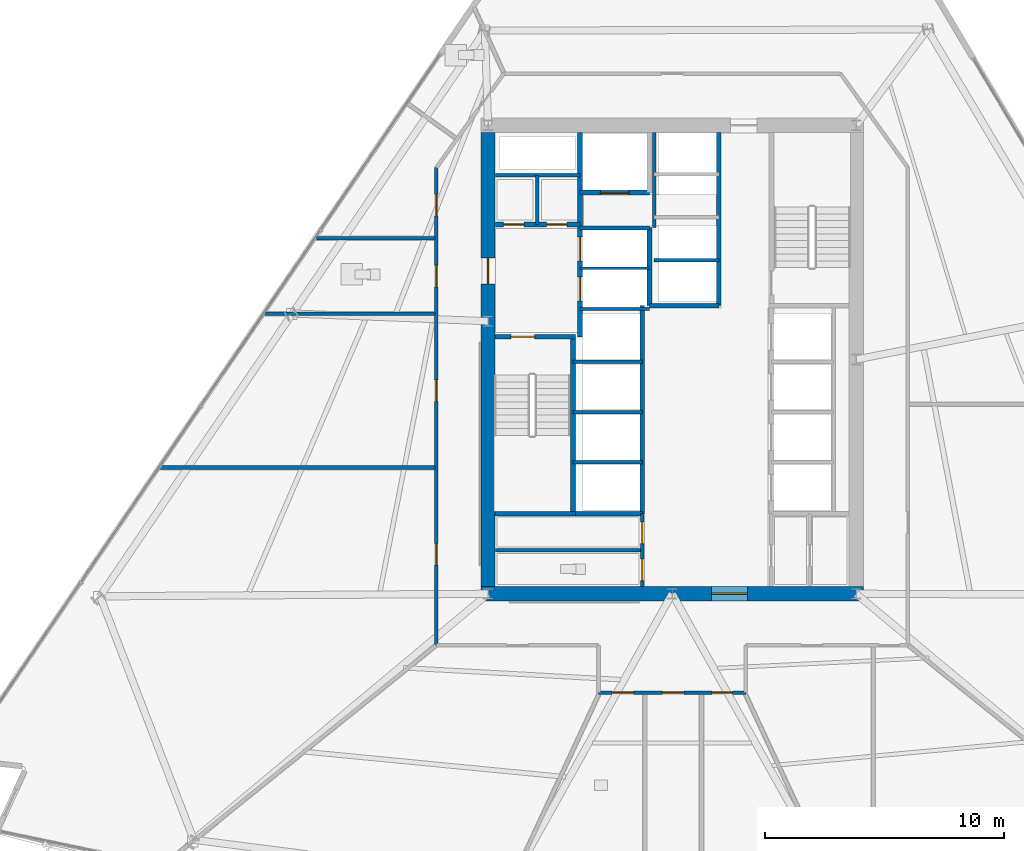
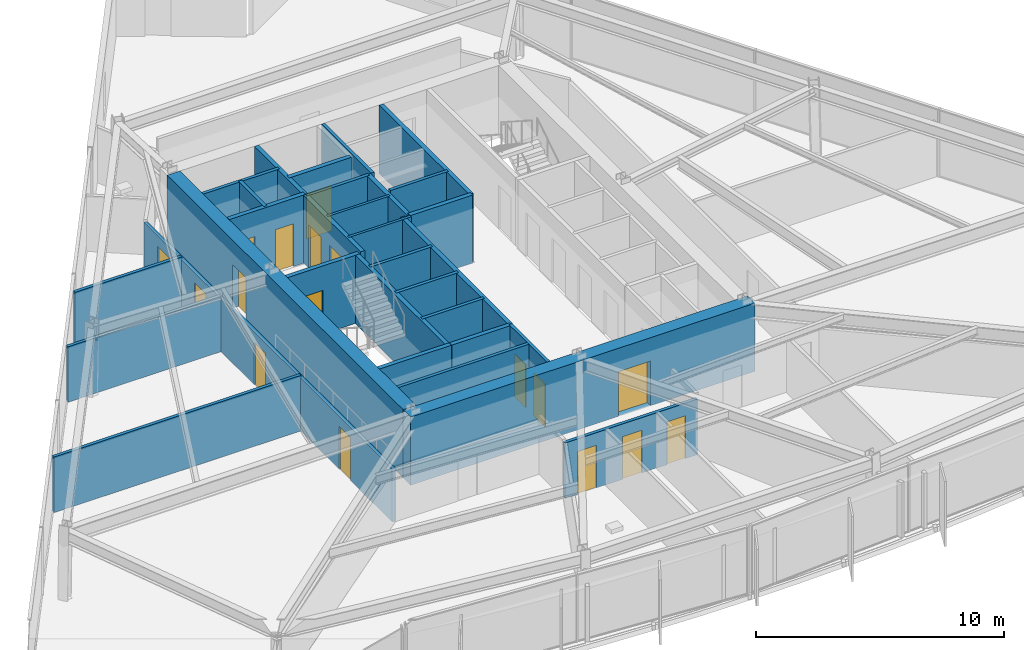
# One storey, part 9 of 18: 30 walls, 17 doors, 17 openings.
"""IFC4 building model written with IfcOpenShell, lengths in metres."""

from ifc_helpers import new_model, si_unit, direction, frame, frame_2d, origin, place, context, subcontext, project, spatial, rectangle, extrude, material, layer, layer_set, type_object, element, fill, save


model = new_model("IFC4")

# Units and contexts
model_context = context("Model", 3, precision=1e-05, world=origin(), true_north=direction((0.0, 1.0)))
body_context = subcontext(model_context, "Body", "Model", "MODEL_VIEW")
ifc_project = project(units=[si_unit("LENGTHUNIT", "METRE"), si_unit("AREAUNIT", "SQUARE_METRE"), si_unit("VOLUMEUNIT", "CUBIC_METRE"), si_unit("PLANEANGLEUNIT", "RADIAN"), si_unit("MASSUNIT", "GRAM", prefix="KILO")], contexts=[model_context])

# Site, building, storey
site_placement = place(None, origin())
site = spatial("IfcSite", under=ifc_project, at=site_placement, CompositionType="ELEMENT")
building_placement = place(site_placement, origin())
building = spatial("IfcBuilding", under=site, at=building_placement, Name="Savorim Split Tower", CompositionType="ELEMENT")
storey_placement = place(building_placement, frame((0.0, 0.0, 40.800048828125)))
storey = spatial("IfcBuildingStorey", under=building, at=storey_placement, Name="L10", CompositionType="ELEMENT", Elevation=40.800048828125)

# Wall, opening, door
ifc_material_1 = material(Name="Concrete C60/75", Category="concrete")
ifc_layer_1 = layer(ifc_material_1, 0.60009765625)
ifc_layer_set_1 = layer_set([ifc_layer_1], Name="WAL-COR-SH600")
wall_type_1 = type_object("IfcWallType", Name="WAL-COR-SH600", PredefinedType="SHEAR", material=ifc_layer_set_1)
wall_1_placement = place(storey_placement, frame((-8.0, -9.39990234375, 0.0), z_axis=(0.0, 0.0, 1.0), x_axis=(1.0, 0.0, 0.0)))
wall_1 = element("IfcWall", 1, at=wall_1_placement, inside=storey, type_object=wall_type_1, Name="L10 Offset Core South Shear Wall", PredefinedType="SHEAR", context=body_context, shape_type="SweptSolid", body=[
    extrude(rectangle(XDim=16.0, YDim=0.60009765625, at=frame_2d((8.0, 0.0))), origin(), (0.0, 0.0, 1.0), 3.349853515625),
])
opening_1_placement = place(wall_1_placement, frame((9.64990234375, 0.0, 0.0)))
opening_1 = element("IfcOpeningElement", 2, at=opening_1_placement, cuts=wall_1, Name="Opening DI-02", PredefinedType="OPENING", context=body_context, shape_type="SweptSolid", body=[
    extrude(rectangle(XDim=1.5, YDim=2.199951171875, at=frame_2d((0.75, 1.10009765625))), frame((0.0, 0.31005859375, 0.0), z_axis=(0.0, -1.0, 0.0), x_axis=(1.0, 0.0, 0.0)), (0.0, 0.0, 1.0), 0.6201171875),
])
ifc_material_2 = material(Name="Timber Fire Door Leaf", Category="wood")
door_type_1 = type_object("IfcDoorType", Name="DOR-DBL-1500", OperationType="NOTDEFINED", PredefinedType="DOOR", material=ifc_material_2)
door_1_placement = place(opening_1_placement, origin())
door_1 = element("IfcDoor", 3, at=door_1_placement, inside=storey, type_object=door_type_1, Name="DOR-L10-COR-LLOB - L10 Lift Lobby Main Rated Door", OperationType="DOUBLE_DOOR_SINGLE_SWING", OverallHeight=2.199951171875, OverallWidth=1.5, PredefinedType="DOOR", context=body_context, shape_type="SweptSolid", body=[
    extrude(rectangle(XDim=1.5, YDim=2.199951171875, at=frame_2d((0.75, 1.10009765625))), frame((0.0, 0.02490234375, 0.0), z_axis=(0.0, -1.0, 0.0), x_axis=(1.0, 0.0, 0.0)), (0.0, 0.0, 1.0), 0.050048828125),
])
fill(opening_1, door_1)

wall_2_placement = place(storey_placement, frame((-7.699951171875, -9.10009765625, 0.0), z_axis=(0.0, 0.0, 1.0), x_axis=(0.0, 1.0, 0.0)))
wall_2 = element("IfcWall", 4, at=wall_2_placement, inside=storey, type_object=wall_type_1, Name="L10 Offset Core West Shear Wall", PredefinedType="SHEAR", context=body_context, shape_type="SweptSolid", body=[
    extrude(rectangle(XDim=19.0, YDim=0.60009765625, at=frame_2d((9.5, 0.0))), origin(), (0.0, 0.0, 1.0), 3.349853515625),
])
opening_2_placement = place(wall_2_placement, frame((12.64990234375, 0.0, 0.0)))
opening_2 = element("IfcOpeningElement", 5, at=opening_2_placement, cuts=wall_2, Name="Opening DI-03", PredefinedType="OPENING", context=body_context, shape_type="SweptSolid", body=[
    extrude(rectangle(XDim=1.10009765625, YDim=2.14990234375, at=frame_2d((0.550048828125, 1.074951171875))), frame((0.0, 0.31005859375, 0.0), z_axis=(0.0, -1.0, 0.0), x_axis=(1.0, 0.0, 0.0)), (0.0, 0.0, 1.0), 0.6201171875),
])
door_type_2 = type_object("IfcDoorType", Name="DOR-FIR-1100", OperationType="NOTDEFINED", PredefinedType="DOOR", material=ifc_material_2)
door_2_placement = place(opening_2_placement, origin())
door_2 = element("IfcDoor", 6, at=door_2_placement, inside=storey, type_object=door_type_2, Name="DOR-L10-COR-FFLOB - L10 Firefighting Lobby Corridor Door", OperationType="SINGLE_SWING_RIGHT", OverallHeight=2.14990234375, OverallWidth=1.10009765625, PredefinedType="DOOR", context=body_context, shape_type="SweptSolid", body=[
    extrude(rectangle(XDim=1.10009765625, YDim=2.14990234375, at=frame_2d((0.550048828125, 1.074951171875))), frame((0.0, 0.02490234375, 0.0), z_axis=(0.0, -1.0, 0.0), x_axis=(1.0, 0.0, 0.0)), (0.0, 0.0, 1.0), 0.050048828125),
])
fill(opening_2, door_2)

ifc_material_3 = material(Name="Concrete C50/60", Category="concrete")
ifc_layer_2 = layer(ifc_material_3, 0.199951171875)
ifc_layer_set_2 = layer_set([ifc_layer_2], Name="WAL-INT-RC200")
wall_type_2 = type_object("IfcWallType", Name="WAL-INT-RC200", PredefinedType="SOLIDWALL", material=ifc_layer_set_2)
wall_3_placement = place(storey_placement, frame((-7.39990234375, 1.35009765625, 0.0), z_axis=(0.0, 0.0, 1.0), x_axis=(1.0, 0.0, 0.0)))
wall_3 = element("IfcWall", 7, at=wall_3_placement, inside=storey, type_object=wall_type_2, Name="L10 Structural Shaft Wall W-L10-CR01", PredefinedType="SOLIDWALL", context=body_context, shape_type="SweptSolid", body=[
    extrude(rectangle(XDim=3.349853515625, YDim=0.199951171875, at=frame_2d((1.6748046875, 0.0))), origin(), (0.0, 0.0, 1.0), 3.349853515625),
])
opening_3_placement = place(wall_3_placement, frame((0.64990234375, 0.0, 0.0)))
opening_3 = element("IfcOpeningElement", 8, at=opening_3_placement, cuts=wall_3, Name="Opening DI-04", PredefinedType="OPENING", context=body_context, shape_type="SweptSolid", body=[
    extrude(rectangle(XDim=1.0, YDim=2.14990234375, at=frame_2d((0.5, 1.074951171875))), frame((0.0, 0.10986328125, 0.0), z_axis=(0.0, -1.0, 0.0), x_axis=(1.0, 0.0, 0.0)), (0.0, 0.0, 1.0), 0.219970703125),
])
door_type_3 = type_object("IfcDoorType", Name="DOR-FIR-1000", OperationType="NOTDEFINED", PredefinedType="DOOR", material=ifc_material_2)
door_3_placement = place(opening_3_placement, origin())
door_3 = element("IfcDoor", 9, at=door_3_placement, inside=storey, type_object=door_type_3, Name="DR-L10-ST1 - L10 Stair ST-1 Enclosure Door", OperationType="SINGLE_SWING_LEFT", OverallHeight=2.14990234375, OverallWidth=1.0, PredefinedType="DOOR", context=body_context, shape_type="SweptSolid", body=[
    extrude(rectangle(XDim=1.0, YDim=2.14990234375, at=frame_2d((0.5, 1.074951171875))), frame((0.0, 0.02490234375, 0.0), z_axis=(0.0, -1.0, 0.0), x_axis=(1.0, 0.0, 0.0)), (0.0, 0.0, 1.0), 0.050048828125),
])
fill(opening_3, door_3)

# Wall
wall_4_placement = place(storey_placement, frame((-4.14990234375, -5.949951171875, 0.0), z_axis=(0.0, 0.0, 1.0), x_axis=(0.0, 1.0, 0.0)))
element("IfcWall", 10, at=wall_4_placement, inside=storey, type_object=wall_type_2, Name="L10 Structural Shaft Wall W-L10-CR02", PredefinedType="SOLIDWALL", context=body_context, shape_type="SweptSolid", body=[
    extrude(rectangle(XDim=7.199951171875, YDim=0.199951171875, at=frame_2d((3.60009765625, 0.0))), origin(), (0.0, 0.0, 1.0), 3.349853515625),
])

# Wall, openings, doors
wall_5_placement = place(storey_placement, frame((-3.85009765625, 1.35009765625, 0.0), z_axis=(0.0, 0.0, 1.0), x_axis=(0.0, 1.0, 0.0)))
wall_5 = element("IfcWall", 11, at=wall_5_placement, inside=storey, type_object=wall_type_2, Name="L10 Partition W-L10-CR03", PredefinedType="SOLIDWALL", context=body_context, shape_type="SweptSolid", body=[
    extrude(rectangle(XDim=8.544921875, YDim=0.199951171875, at=frame_2d((4.2724609375, 0.0))), origin(), (0.0, 0.0, 1.0), 3.349853515625),
])
opening_4_placement = place(wall_5_placement, frame((1.5, 0.0, 0.0)))
opening_4 = element("IfcOpeningElement", 12, at=opening_4_placement, cuts=wall_5, Name="Opening LD-FFL", PredefinedType="OPENING", context=body_context, shape_type="SweptSolid", body=[
    extrude(rectangle(XDim=1.0, YDim=2.14990234375, at=frame_2d((0.5, 1.074951171875))), frame((0.0, 0.10986328125, 0.0), z_axis=(0.0, -1.0, 0.0), x_axis=(1.0, 0.0, 0.0)), (0.0, 0.0, 1.0), 0.219970703125),
])
opening_5_placement = place(wall_5_placement, frame((3.179931640625, 0.0, 0.0)))
opening_5 = element("IfcOpeningElement", 13, at=opening_5_placement, cuts=wall_5, Name="Opening LD-FFL", PredefinedType="OPENING", context=body_context, shape_type="SweptSolid", body=[
    extrude(rectangle(XDim=1.0, YDim=2.14990234375, at=frame_2d((0.5, 1.074951171875))), frame((0.0, 0.10986328125, 0.0), z_axis=(0.0, -1.0, 0.0), x_axis=(1.0, 0.0, 0.0)), (0.0, 0.0, 1.0), 0.219970703125),
])
ifc_material_4 = material(Name="Charcoal Anodised Aluminium", Category="aluminium")
door_type_4 = type_object("IfcDoorType", Name="DOR-SLD-LD1000", OperationType="NOTDEFINED", PredefinedType="DOOR", material=ifc_material_4)
door_4_placement = place(opening_4_placement, origin())
door_4 = element("IfcDoor", 14, at=door_4_placement, inside=storey, type_object=door_type_4, Name="DR-L10-LD-FFL1 - L10 Firefighting Lift FFL-1 Sliding Landing Door", OperationType="DOUBLE_DOOR_SLIDING", OverallHeight=2.14990234375, OverallWidth=1.0, PredefinedType="DOOR", context=body_context, shape_type="SweptSolid", body=[
    extrude(rectangle(XDim=1.0, YDim=2.14990234375, at=frame_2d((0.5, 1.074951171875))), frame((0.0, 0.02490234375, 0.0), z_axis=(0.0, -1.0, 0.0), x_axis=(1.0, 0.0, 0.0)), (0.0, 0.0, 1.0), 0.050048828125),
])
fill(opening_4, door_4)
door_5_placement = place(opening_5_placement, origin())
door_5 = element("IfcDoor", 15, at=door_5_placement, inside=storey, type_object=door_type_4, Name="DR-L10-LD-FFL2 - L10 Firefighting Lift FFL-2 Sliding Landing Door", OperationType="DOUBLE_DOOR_SLIDING", OverallHeight=2.14990234375, OverallWidth=1.0, PredefinedType="DOOR", context=body_context, shape_type="SweptSolid", body=[
    extrude(rectangle(XDim=1.0, YDim=2.14990234375, at=frame_2d((0.5, 1.074951171875))), frame((0.0, 0.02490234375, 0.0), z_axis=(0.0, -1.0, 0.0), x_axis=(1.0, 0.0, 0.0)), (0.0, 0.0, 1.0), 0.050048828125),
])
fill(opening_5, door_5)

wall_6_placement = place(storey_placement, frame((-7.39501953125, 6.050048828125, 0.0), z_axis=(0.0, 0.0, 1.0), x_axis=(1.0, 0.0, 0.0)))
wall_6 = element("IfcWall", 16, at=wall_6_placement, inside=storey, type_object=wall_type_2, Name="L10 Partition W-L10-CR04", PredefinedType="SOLIDWALL", context=body_context, shape_type="SweptSolid", body=[
    extrude(rectangle(XDim=3.544921875, YDim=0.199951171875, at=frame_2d((1.7724609375, 0.0))), origin(), (0.0, 0.0, 1.0), 3.349853515625),
])
opening_6_placement = place(wall_6_placement, frame((0.344970703125, 0.0, 0.0)))
opening_6 = element("IfcOpeningElement", 17, at=opening_6_placement, cuts=wall_6, Name="Opening DI-12", PredefinedType="OPENING", context=body_context, shape_type="SweptSolid", body=[
    extrude(rectangle(XDim=0.85009765625, YDim=2.10009765625, at=frame_2d((0.425048828125, 1.050048828125))), frame((0.0, 0.10986328125, 0.0), z_axis=(0.0, -1.0, 0.0), x_axis=(1.0, 0.0, 0.0)), (0.0, 0.0, 1.0), 0.219970703125),
])
opening_7_placement = place(wall_6_placement, frame((2.14501953125, 0.0, 0.0)))
opening_7 = element("IfcOpeningElement", 18, at=opening_7_placement, cuts=wall_6, Name="Opening DI-12", PredefinedType="OPENING", context=body_context, shape_type="SweptSolid", body=[
    extrude(rectangle(XDim=0.85009765625, YDim=2.10009765625, at=frame_2d((0.425048828125, 1.050048828125))), frame((0.0, 0.10986328125, 0.0), z_axis=(0.0, -1.0, 0.0), x_axis=(1.0, 0.0, 0.0)), (0.0, 0.0, 1.0), 0.219970703125),
])
ifc_material_5 = material(Name="Galvanised Painted Steel Balustrade", Category="steel")
door_type_5 = type_object("IfcDoorType", Name="DOR-RIS-850", OperationType="NOTDEFINED", PredefinedType="DOOR", material=ifc_material_5)
door_6_placement = place(opening_6_placement, origin())
door_6 = element("IfcDoor", 19, at=door_6_placement, inside=storey, type_object=door_type_5, Name="DR-L10-ELR - L10 Electrical Riser Access Door", OperationType="SINGLE_SWING_RIGHT", OverallHeight=2.10009765625, OverallWidth=0.85009765625, PredefinedType="DOOR", context=body_context, shape_type="SweptSolid", body=[
    extrude(rectangle(XDim=0.85009765625, YDim=2.10009765625, at=frame_2d((0.425048828125, 1.050048828125))), frame((0.0, 0.02490234375, 0.0), z_axis=(0.0, -1.0, 0.0), x_axis=(1.0, 0.0, 0.0)), (0.0, 0.0, 1.0), 0.050048828125),
])
fill(opening_6, door_6)
door_7_placement = place(opening_7_placement, origin())
door_7 = element("IfcDoor", 20, at=door_7_placement, inside=storey, type_object=door_type_5, Name="DR-L10-TLR - L10 Telecom Riser Access Door", OperationType="SINGLE_SWING_LEFT", OverallHeight=2.10009765625, OverallWidth=0.85009765625, PredefinedType="DOOR", context=body_context, shape_type="SweptSolid", body=[
    extrude(rectangle(XDim=0.85009765625, YDim=2.10009765625, at=frame_2d((0.425048828125, 1.050048828125))), frame((0.0, 0.02490234375, 0.0), z_axis=(0.0, -1.0, 0.0), x_axis=(1.0, 0.0, 0.0)), (0.0, 0.0, 1.0), 0.050048828125),
])
fill(opening_7, door_7)

# Wall
wall_7_placement = place(storey_placement, frame((-0.949951171875, 2.64990234375, 0.0), z_axis=(0.0, 0.0, 1.0), x_axis=(0.0, 1.0, 0.0)))
element("IfcWall", 21, at=wall_7_placement, inside=storey, type_object=wall_type_2, Name="L10 Partition W-L10-FFLW", PredefinedType="SOLIDWALL", context=body_context, shape_type="SweptSolid", body=[
    extrude(rectangle(XDim=3.27001953125, YDim=0.199951171875, at=frame_2d((1.635009765625, 0.0))), origin(), (0.0, 0.0, 1.0), 3.349853515625),
])

# Wall, opening, door
wall_8_placement = place(storey_placement, frame((-3.85009765625, 7.3798828125, 0.0), z_axis=(0.0, 0.0, 1.0), x_axis=(1.0, 0.0, 0.0)))
wall_8 = element("IfcWall", 22, at=wall_8_placement, inside=storey, type_object=wall_type_2, Name="L10 Partition W-L10-SVLS", PredefinedType="SOLIDWALL", context=body_context, shape_type="SweptSolid", body=[
    extrude(rectangle(XDim=2.900146484375, YDim=0.199951171875, at=frame_2d((1.4501953125, 0.0))), origin(), (0.0, 0.0, 1.0), 3.349853515625),
])
opening_8_placement = place(wall_8_placement, frame((0.85009765625, 0.0, 0.0)))
opening_8 = element("IfcOpeningElement", 23, at=opening_8_placement, cuts=wall_8, Name="Opening LD-SV", PredefinedType="OPENING", context=body_context, shape_type="SweptSolid", body=[
    extrude(rectangle(XDim=1.199951171875, YDim=2.199951171875, at=frame_2d((0.60009765625, 1.10009765625))), frame((0.0, 0.10986328125, 0.0), z_axis=(0.0, -1.0, 0.0), x_axis=(1.0, 0.0, 0.0)), (0.0, 0.0, 1.0), 0.219970703125),
])
door_type_6 = type_object("IfcDoorType", Name="DOR-SLD-SV1200", OperationType="NOTDEFINED", PredefinedType="DOOR", material=ifc_material_4)
door_8_placement = place(opening_8_placement, origin())
door_8 = element("IfcDoor", 24, at=door_8_placement, inside=storey, type_object=door_type_6, Name="DR-L10-LD-SVL1 - L10 Service Lift SVL-1 Sliding Landing Door", OperationType="DOUBLE_DOOR_SLIDING", OverallHeight=2.199951171875, OverallWidth=1.199951171875, PredefinedType="DOOR", context=body_context, shape_type="SweptSolid", body=[
    extrude(rectangle(XDim=1.199951171875, YDim=2.199951171875, at=frame_2d((0.60009765625, 1.10009765625))), frame((0.0, 0.02490234375, 0.0), z_axis=(0.0, -1.0, 0.0), x_axis=(1.0, 0.0, 0.0)), (0.0, 0.0, 1.0), 0.050048828125),
])
fill(opening_8, door_8)

# Walls
wall_9_placement = place(storey_placement, frame((-1.25, -6.050048828125, 0.0), z_axis=(0.0, 0.0, 1.0), x_axis=(0.0, 1.0, 0.0)))
element("IfcWall", 25, at=wall_9_placement, inside=storey, type_object=wall_type_2, Name="L10 Partition W-L10-B2FRONT", PredefinedType="SOLIDWALL", context=body_context, shape_type="SweptSolid", body=[
    extrude(rectangle(XDim=8.699951171875, YDim=0.199951171875, at=frame_2d((4.35009765625, 0.0))), origin(), (0.0, 0.0, 1.0), 3.349853515625),
])
wall_10_placement = place(storey_placement, frame((1.949951171875, 2.64990234375, 0.0), z_axis=(0.0, 0.0, 1.0), x_axis=(0.0, 1.0, 0.0)))
element("IfcWall", 26, at=wall_10_placement, inside=storey, type_object=wall_type_2, Name="L10 Partition W-L10-B3FRONT", PredefinedType="SOLIDWALL", context=body_context, shape_type="SweptSolid", body=[
    extrude(rectangle(XDim=7.2451171875, YDim=0.199951171875, at=frame_2d((3.62255859375, 0.0))), origin(), (0.0, 0.0, 1.0), 3.349853515625),
])
wall_11_placement = place(storey_placement, frame((-0.949951171875, 2.64990234375, 0.0), z_axis=(0.0, 0.0, 1.0), x_axis=(1.0, 0.0, 0.0)))
element("IfcWall", 27, at=wall_11_placement, inside=storey, type_object=wall_type_2, Name="L10 Partition W-L10-B3SOUTH", PredefinedType="SOLIDWALL", context=body_context, shape_type="SweptSolid", body=[
    extrude(rectangle(XDim=2.89990234375, YDim=0.199951171875, at=frame_2d((1.449951171875, 0.0))), origin(), (0.0, 0.0, 1.0), 3.349853515625),
])
wall_12_placement = place(storey_placement, frame((-7.39990234375, -6.050048828125, 0.0), z_axis=(0.0, 0.0, 1.0), x_axis=(1.0, 0.0, 0.0)))
element("IfcWall", 28, at=wall_12_placement, inside=storey, type_object=wall_type_2, Name="L10 Structural Shaft Wall W-L10-KSEP-W", PredefinedType="SOLIDWALL", context=body_context, shape_type="SweptSolid", body=[
    extrude(rectangle(XDim=3.349853515625, YDim=0.199951171875, at=frame_2d((1.6748046875, 0.0))), origin(), (0.0, 0.0, 1.0), 3.349853515625),
])
wall_13_placement = place(storey_placement, frame((-4.0400390625, -6.050048828125, 0.0), z_axis=(0.0, 0.0, 1.0), x_axis=(1.0, 0.0, 0.0)))
element("IfcWall", 29, at=wall_13_placement, inside=storey, type_object=wall_type_2, Name="L10 Partition W-L10-KSEP-W2", PredefinedType="SOLIDWALL", context=body_context, shape_type="SweptSolid", body=[
    extrude(rectangle(XDim=2.7900390625, YDim=0.199951171875, at=frame_2d((1.39501953125, 0.0))), origin(), (0.0, 0.0, 1.0), 3.349853515625),
])
ifc_material_6 = material(Name="Acoustic Gypsum Partition Board")
ifc_layer_3 = layer(ifc_material_6, 0.1201171875)
ifc_layer_set_3 = layer_set([ifc_layer_3], Name="WAL-PAR-120")
wall_type_3 = type_object("IfcWallType", Name="WAL-PAR-120", PredefinedType="PARTITIONING", material=ifc_layer_set_3)
for number, where, z_axis, x_axis, name in (
    (30, (-3.85009765625, 2.52001953125, 0.0), (0.0, 0.0, 1.0), (1.0, 0.0, 0.0), "L10 Partition W-L10-FFLD0"),
    (31, (-3.85009765625, 4.219970703125, 0.0), (0.0, 0.0, 1.0), (1.0, 0.0, 0.0), "L10 Partition W-L10-FFLD1"),
):
    element("IfcWall", number, at=place(storey_placement, frame(where, z_axis=z_axis, x_axis=x_axis)), inside=storey, type_object=wall_type_3, Name=name, PredefinedType="PARTITIONING", context=body_context, shape_type="SweptSolid", body=[
        extrude(rectangle(XDim=2.900146484375, YDim=0.1201171875, at=frame_2d((1.4501953125, 0.0))), origin(), (0.0, 0.0, 1.0), 3.349853515625),
    ])
ifc_layer_4 = layer(ifc_material_6, 0.14990234375)
ifc_layer_set_4 = layer_set([ifc_layer_4], Name="WAL-PAR-150")
wall_type_4 = type_object("IfcWallType", Name="WAL-PAR-150", PredefinedType="PARTITIONING", material=ifc_layer_set_4)
wall_14_placement = place(storey_placement, frame((-7.39501953125, 8.10009765625, 0.0), z_axis=(0.0, 0.0, 1.0), x_axis=(1.0, 0.0, 0.0)))
element("IfcWall", 32, at=wall_14_placement, inside=storey, type_object=wall_type_4, Name="L10 Partition W-L10-CR05", PredefinedType="PARTITIONING", context=body_context, shape_type="SweptSolid", body=[
    extrude(rectangle(XDim=3.544921875, YDim=0.14990234375, at=frame_2d((1.7724609375, 0.0))), origin(), (0.0, 0.0, 1.0), 3.349853515625),
])
wall_15_placement = place(storey_placement, frame((-5.64990234375, 6.050048828125, 0.0), z_axis=(0.0, 0.0, 1.0), x_axis=(0.0, 1.0, 0.0)))
element("IfcWall", 33, at=wall_15_placement, inside=storey, type_object=wall_type_4, Name="L10 Partition W-L10-CR06", PredefinedType="PARTITIONING", context=body_context, shape_type="SweptSolid", body=[
    extrude(rectangle(XDim=2.050048828125, YDim=0.14990234375, at=frame_2d((1.02490234375, 0.0))), origin(), (0.0, 0.0, 1.0), 3.349853515625),
])
wall_16_placement = place(storey_placement, frame((-3.85009765625, 5.89990234375, 0.0), z_axis=(0.0, 0.0, 1.0), x_axis=(1.0, 0.0, 0.0)))
element("IfcWall", 34, at=wall_16_placement, inside=storey, type_object=wall_type_4, Name="L10 Partition W-L10-FFLD2", PredefinedType="PARTITIONING", context=body_context, shape_type="SweptSolid", body=[
    extrude(rectangle(XDim=2.900146484375, YDim=0.14990234375, at=frame_2d((1.4501953125, 0.0))), origin(), (0.0, 0.0, 1.0), 3.349853515625),
])
for number, where, z_axis, x_axis, name in (
    (35, (-4.14990234375, -3.89990234375, 0.0), (0.0, 0.0, 1.0), (1.0, 0.0, 0.0), "L10 Partition W-L10-B2DIV1"),
    (36, (-4.14990234375, -1.800048828125, 0.0), (0.0, 0.0, 1.0), (1.0, 0.0, 0.0), "L10 Partition W-L10-B2DIV2"),
    (37, (-4.14990234375, 0.300048828125, 0.0), (0.0, 0.0, 1.0), (1.0, 0.0, 0.0), "L10 Partition W-L10-B2DIV3"),
):
    element("IfcWall", number, at=place(storey_placement, frame(where, z_axis=z_axis, x_axis=x_axis)), inside=storey, type_object=wall_type_4, Name=name, PredefinedType="PARTITIONING", context=body_context, shape_type="SweptSolid", body=[
        extrude(rectangle(XDim=2.89990234375, YDim=0.14990234375, at=frame_2d((1.449951171875, 0.0))), origin(), (0.0, 0.0, 1.0), 3.349853515625),
    ])
wall_17_placement = place(storey_placement, frame((-0.75, 5.919921875, 0.0), z_axis=(0.0, 0.0, 1.0), x_axis=(0.0, 1.0, 0.0)))
element("IfcWall", 38, at=wall_17_placement, inside=storey, type_object=wall_type_4, Name="L10 Partition W-L10-B3WEST", PredefinedType="PARTITIONING", context=body_context, shape_type="SweptSolid", body=[
    extrude(rectangle(XDim=3.97509765625, YDim=0.14990234375, at=frame_2d((1.987548828125, 0.0))), origin(), (0.0, 0.0, 1.0), 3.349853515625),
])
wall_18_placement = place(storey_placement, frame((-0.75, 4.550048828125, 0.0), z_axis=(0.0, 0.0, 1.0), x_axis=(1.0, 0.0, 0.0)))
element("IfcWall", 39, at=wall_18_placement, inside=storey, type_object=wall_type_4, Name="L10 Partition W-L10-B3DIV1", PredefinedType="PARTITIONING", context=body_context, shape_type="SweptSolid", body=[
    extrude(rectangle(XDim=2.699951171875, YDim=0.14990234375, at=frame_2d((1.35009765625, 0.0))), origin(), (0.0, 0.0, 1.0), 3.349853515625),
])

# Wall, openings, doors
wall_19_placement = place(storey_placement, frame((-1.25, -9.094970703125, 0.0), z_axis=(0.0, 0.0, 1.0), x_axis=(0.0, 1.0, 0.0)))
wall_19 = element("IfcWall", 40, at=wall_19_placement, inside=storey, type_object=wall_type_4, Name="L10 Partition W-L10-KLOB-W", PredefinedType="PARTITIONING", context=body_context, shape_type="SweptSolid", body=[
    extrude(rectangle(XDim=3.044921875, YDim=0.14990234375, at=frame_2d((1.5224609375, 0.0))), origin(), (0.0, 0.0, 1.0), 3.349853515625),
])
opening_9_placement = place(wall_19_placement, frame((1.794921875, 0.0, 0.0)))
opening_9 = element("IfcOpeningElement", 41, at=opening_9_placement, cuts=wall_19, Name="Opening DI-06", PredefinedType="OPENING", context=body_context, shape_type="SweptSolid", body=[
    extrude(rectangle(XDim=0.89990234375, YDim=2.10009765625, at=frame_2d((0.449951171875, 1.050048828125))), frame((0.0, 0.0849609375, 0.0), z_axis=(0.0, -1.0, 0.0), x_axis=(1.0, 0.0, 0.0)), (0.0, 0.0, 1.0), 0.169921875),
])
opening_10_placement = place(wall_19_placement, frame((0.2451171875, 0.0, 0.0)))
opening_10 = element("IfcOpeningElement", 42, at=opening_10_placement, cuts=wall_19, Name="Opening DI-11", PredefinedType="OPENING", context=body_context, shape_type="SweptSolid", body=[
    extrude(rectangle(XDim=0.89990234375, YDim=2.10009765625, at=frame_2d((0.449951171875, 1.050048828125))), frame((0.0, 0.0849609375, 0.0), z_axis=(0.0, -1.0, 0.0), x_axis=(1.0, 0.0, 0.0)), (0.0, 0.0, 1.0), 0.169921875),
])
door_type_7 = type_object("IfcDoorType", Name="DOR-FIR-900", OperationType="NOTDEFINED", PredefinedType="DOOR", material=ifc_material_2)
door_9_placement = place(opening_9_placement, origin())
door_9 = element("IfcDoor", 43, at=door_9_placement, inside=storey, type_object=door_type_7, Name="DR-L10-K2CLN - L10 Cleaning Store Door", OperationType="SINGLE_SWING_LEFT", OverallHeight=2.10009765625, OverallWidth=0.89990234375, PredefinedType="DOOR", context=body_context, shape_type="SweptSolid", body=[
    extrude(rectangle(XDim=0.89990234375, YDim=2.10009765625, at=frame_2d((0.449951171875, 1.050048828125))), frame((0.0, 0.02490234375, 0.0), z_axis=(0.0, -1.0, 0.0), x_axis=(1.0, 0.0, 0.0)), (0.0, 0.0, 1.0), 0.050048828125),
])
fill(opening_9, door_9)
ifc_material_7 = material(Name="Oak Veneer Acoustic Door")
door_type_8 = type_object("IfcDoorType", Name="DOR-WC-900", OperationType="NOTDEFINED", PredefinedType="DOOR", material=ifc_material_7)
door_10_placement = place(opening_10_placement, origin())
door_10 = element("IfcDoor", 44, at=door_10_placement, inside=storey, type_object=door_type_8, Name="DR-L10-K2WC - L10 Core WC Door", OperationType="SINGLE_SWING_RIGHT", OverallHeight=2.10009765625, OverallWidth=0.89990234375, PredefinedType="DOOR", context=body_context, shape_type="SweptSolid", body=[
    extrude(rectangle(XDim=0.89990234375, YDim=2.10009765625, at=frame_2d((0.449951171875, 1.050048828125))), frame((0.0, 0.02490234375, 0.0), z_axis=(0.0, -1.0, 0.0), x_axis=(1.0, 0.0, 0.0)), (0.0, 0.0, 1.0), 0.050048828125),
])
fill(opening_10, door_10)

# Wall
wall_20_placement = place(storey_placement, frame((-7.39501953125, -7.580078125, 0.0), z_axis=(0.0, 0.0, 1.0), x_axis=(1.0, 0.0, 0.0)))
element("IfcWall", 45, at=wall_20_placement, inside=storey, type_object=wall_type_4, Name="L10 Partition W-L10-K2H", PredefinedType="PARTITIONING", context=body_context, shape_type="SweptSolid", body=[
    extrude(rectangle(XDim=6.14501953125, YDim=0.14990234375, at=frame_2d((3.072509765625, 0.0))), origin(), (0.0, 0.0, 1.0), 3.349853515625),
])

# Wall, openings, doors
wall_21_placement = place(storey_placement, frame((-9.860107421875, -11.56005859375, 0.0), z_axis=(0.0, 0.0, 1.0), x_axis=(0.0, 1.0, 0.0)))
wall_21 = element("IfcWall", 46, at=wall_21_placement, inside=storey, type_object=wall_type_4, Name="L10 Partition W-L10-COR-01", PredefinedType="PARTITIONING", context=body_context, shape_type="SweptSolid", body=[
    extrude(rectangle(XDim=19.98583984375, YDim=0.14990234375, at=frame_2d((9.992919921875, 0.0))), origin(), (0.0, 0.0, 1.0), 2.60888671875),
])
opening_11_placement = place(wall_21_placement, frame((10.205322265625, 0.0, 0.0)))
opening_11 = element("IfcOpeningElement", 47, at=opening_11_placement, cuts=wall_21, Name="Opening DI-06", PredefinedType="OPENING", context=body_context, shape_type="SweptSolid", body=[
    extrude(rectangle(XDim=0.89990234375, YDim=2.10009765625, at=frame_2d((0.449951171875, 1.050048828125))), frame((0.0, 0.0849609375, 0.0), z_axis=(0.0, -1.0, 0.0), x_axis=(1.0, 0.0, 0.0)), (0.0, 0.0, 1.0), 0.169921875),
])
opening_12_placement = place(wall_21_placement, frame((3.3603515625, 0.0, 0.0)))
opening_12 = element("IfcOpeningElement", 48, at=opening_12_placement, cuts=wall_21, Name="Opening DI-06", PredefinedType="OPENING", context=body_context, shape_type="SweptSolid", body=[
    extrude(rectangle(XDim=0.89990234375, YDim=2.10009765625, at=frame_2d((0.449951171875, 1.050048828125))), frame((0.0, 0.0849609375, 0.0), z_axis=(0.0, -1.0, 0.0), x_axis=(1.0, 0.0, 0.0)), (0.0, 0.0, 1.0), 0.169921875),
])
opening_13_placement = place(wall_21_placement, frame((17.969970703125, 0.0, 0.0)))
opening_13 = element("IfcOpeningElement", 49, at=opening_13_placement, cuts=wall_21, Name="Opening DI-06", PredefinedType="OPENING", context=body_context, shape_type="SweptSolid", body=[
    extrude(rectangle(XDim=0.89990234375, YDim=2.10009765625, at=frame_2d((0.449951171875, 1.050048828125))), frame((0.0, 0.0849609375, 0.0), z_axis=(0.0, -1.0, 0.0), x_axis=(1.0, 0.0, 0.0)), (0.0, 0.0, 1.0), 0.169921875),
])
opening_14_placement = place(wall_21_placement, frame((15.00048828125, 0.0, 0.0)))
opening_14 = element("IfcOpeningElement", 50, at=opening_14_placement, cuts=wall_21, Name="Opening DI-11", PredefinedType="OPENING", context=body_context, shape_type="SweptSolid", body=[
    extrude(rectangle(XDim=0.89990234375, YDim=2.10009765625, at=frame_2d((0.449951171875, 1.050048828125))), frame((0.0, 0.0849609375, 0.0), z_axis=(0.0, -1.0, 0.0), x_axis=(1.0, 0.0, 0.0)), (0.0, 0.0, 1.0), 0.169921875),
])
door_11_placement = place(opening_11_placement, origin())
door_11 = element("IfcDoor", 51, at=door_11_placement, inside=storey, type_object=door_type_7, Name="DR-L10-RM01 - L10 Co-Working Commons Entry Door", OperationType="SINGLE_SWING_RIGHT", OverallHeight=2.10009765625, OverallWidth=0.89990234375, PredefinedType="DOOR", context=body_context, shape_type="SweptSolid", body=[
    extrude(rectangle(XDim=0.89990234375, YDim=2.10009765625, at=frame_2d((0.449951171875, 1.050048828125))), frame((0.0, 0.02490234375, 0.0), z_axis=(0.0, -1.0, 0.0), x_axis=(1.0, 0.0, 0.0)), (0.0, 0.0, 1.0), 0.050048828125),
])
fill(opening_11, door_11)
door_12_placement = place(opening_12_placement, origin())
door_12 = element("IfcDoor", 52, at=door_12_placement, inside=storey, type_object=door_type_7, Name="DR-L10-RM02 - L10 Co-Working Commons Entry Door", OperationType="SINGLE_SWING_LEFT", OverallHeight=2.10009765625, OverallWidth=0.89990234375, PredefinedType="DOOR", context=body_context, shape_type="SweptSolid", body=[
    extrude(rectangle(XDim=0.89990234375, YDim=2.10009765625, at=frame_2d((0.449951171875, 1.050048828125))), frame((0.0, 0.02490234375, 0.0), z_axis=(0.0, -1.0, 0.0), x_axis=(1.0, 0.0, 0.0)), (0.0, 0.0, 1.0), 0.050048828125),
])
fill(opening_12, door_12)
door_13_placement = place(opening_13_placement, origin())
door_13 = element("IfcDoor", 53, at=door_13_placement, inside=storey, type_object=door_type_7, Name="DR-L10-RM12 - L10 Co-Living Bedroom Entry Door", OperationType="SINGLE_SWING_LEFT", OverallHeight=2.10009765625, OverallWidth=0.89990234375, PredefinedType="DOOR", context=body_context, shape_type="SweptSolid", body=[
    extrude(rectangle(XDim=0.89990234375, YDim=2.10009765625, at=frame_2d((0.449951171875, 1.050048828125))), frame((0.0, 0.02490234375, 0.0), z_axis=(0.0, -1.0, 0.0), x_axis=(1.0, 0.0, 0.0)), (0.0, 0.0, 1.0), 0.050048828125),
])
fill(opening_13, door_13)
door_14_placement = place(opening_14_placement, origin())
door_14 = element("IfcDoor", 54, at=door_14_placement, inside=storey, type_object=door_type_8, Name="DR-L10-RM13 - L10 Shared Bathroom Entry Door", OperationType="SINGLE_SWING_RIGHT", OverallHeight=2.10009765625, OverallWidth=0.89990234375, PredefinedType="DOOR", context=body_context, shape_type="SweptSolid", body=[
    extrude(rectangle(XDim=0.89990234375, YDim=2.10009765625, at=frame_2d((0.449951171875, 1.050048828125))), frame((0.0, 0.02490234375, 0.0), z_axis=(0.0, -1.0, 0.0), x_axis=(1.0, 0.0, 0.0)), (0.0, 0.0, 1.0), 0.050048828125),
])
fill(opening_14, door_14)

wall_22_placement = place(storey_placement, frame((3.080078125, -13.530029296875, 0.0), z_axis=(0.0, 0.0, 1.0), x_axis=(-1.0, 0.0, 0.0)))
wall_22 = element("IfcWall", 55, at=wall_22_placement, inside=storey, type_object=wall_type_4, Name="L10 Partition W-L10-COR-08", PredefinedType="PARTITIONING", context=body_context, shape_type="SweptSolid", body=[
    extrude(rectangle(XDim=6.16015625, YDim=0.14990234375, at=frame_2d((3.080078125, 0.0))), origin(), (0.0, 0.0, 1.0), 2.724853515625),
])
opening_15_placement = place(wall_22_placement, frame((4.689697265625, 0.0, 0.0)))
opening_15 = element("IfcOpeningElement", 56, at=opening_15_placement, cuts=wall_22, Name="Opening DI-06", PredefinedType="OPENING", context=body_context, shape_type="SweptSolid", body=[
    extrude(rectangle(XDim=0.89990234375, YDim=2.10009765625, at=frame_2d((0.449951171875, 1.050048828125))), frame((0.0, 0.0849609375, 0.0), z_axis=(0.0, -1.0, 0.0), x_axis=(1.0, 0.0, 0.0)), (0.0, 0.0, 1.0), 0.169921875),
])
opening_16_placement = place(wall_22_placement, frame((2.585693359375, 0.0, 0.0)))
opening_16 = element("IfcOpeningElement", 57, at=opening_16_placement, cuts=wall_22, Name="Opening DI-06", PredefinedType="OPENING", context=body_context, shape_type="SweptSolid", body=[
    extrude(rectangle(XDim=0.89990234375, YDim=2.10009765625, at=frame_2d((0.449951171875, 1.050048828125))), frame((0.0, 0.0849609375, 0.0), z_axis=(0.0, -1.0, 0.0), x_axis=(1.0, 0.0, 0.0)), (0.0, 0.0, 1.0), 0.169921875),
])
opening_17_placement = place(wall_22_placement, frame((0.56591796875, 0.0, 0.0)))
opening_17 = element("IfcOpeningElement", 58, at=opening_17_placement, cuts=wall_22, Name="Opening DI-13", PredefinedType="OPENING", context=body_context, shape_type="SweptSolid", body=[
    extrude(rectangle(XDim=0.85009765625, YDim=2.10009765625, at=frame_2d((0.425048828125, 1.050048828125))), frame((0.0, 0.0849609375, 0.0), z_axis=(0.0, -1.0, 0.0), x_axis=(1.0, 0.0, 0.0)), (0.0, 0.0, 1.0), 0.169921875),
])
door_type_9 = type_object("IfcDoorType", Name="DOR-FIR-850", OperationType="NOTDEFINED", PredefinedType="DOOR", material=ifc_material_2)
door_15_placement = place(opening_17_placement, origin())
door_15 = element("IfcDoor", 59, at=door_15_placement, inside=storey, type_object=door_type_9, Name="DR-L10-RM06 - L10 Maker Workshop Entry Door", OperationType="SINGLE_SWING_LEFT", OverallHeight=2.10009765625, OverallWidth=0.85009765625, PredefinedType="DOOR", context=body_context, shape_type="SweptSolid", body=[
    extrude(rectangle(XDim=0.85009765625, YDim=2.10009765625, at=frame_2d((0.425048828125, 1.050048828125))), frame((0.0, 0.02490234375, 0.0), z_axis=(0.0, -1.0, 0.0), x_axis=(1.0, 0.0, 0.0)), (0.0, 0.0, 1.0), 0.050048828125),
])
fill(opening_17, door_15)
door_16_placement = place(opening_15_placement, origin())
door_16 = element("IfcDoor", 60, at=door_16_placement, inside=storey, type_object=door_type_7, Name="DR-L10-RM04 - L10 Shared Kitchen Entry Door", OperationType="SINGLE_SWING_LEFT", OverallHeight=2.10009765625, OverallWidth=0.89990234375, PredefinedType="DOOR", context=body_context, shape_type="SweptSolid", body=[
    extrude(rectangle(XDim=0.89990234375, YDim=2.10009765625, at=frame_2d((0.449951171875, 1.050048828125))), frame((0.0, 0.02490234375, 0.0), z_axis=(0.0, -1.0, 0.0), x_axis=(1.0, 0.0, 0.0)), (0.0, 0.0, 1.0), 0.050048828125),
])
fill(opening_15, door_16)
door_17_placement = place(opening_16_placement, origin())
door_17 = element("IfcDoor", 61, at=door_17_placement, inside=storey, type_object=door_type_7, Name="DR-L10-RM05 - L10 Quiet Study Room Entry Door", OperationType="SINGLE_SWING_RIGHT", OverallHeight=2.10009765625, OverallWidth=0.89990234375, PredefinedType="DOOR", context=body_context, shape_type="SweptSolid", body=[
    extrude(rectangle(XDim=0.89990234375, YDim=2.10009765625, at=frame_2d((0.449951171875, 1.050048828125))), frame((0.0, 0.02490234375, 0.0), z_axis=(0.0, -1.0, 0.0), x_axis=(1.0, 0.0, 0.0)), (0.0, 0.0, 1.0), 0.050048828125),
])
fill(opening_16, door_17)

# Walls
wall_23_placement = place(storey_placement, frame((-9.919921875, 2.30810546875, 0.0), z_axis=(0.0, 0.0, 1.0), x_axis=(-1.0, 0.0, 0.0)))
element("IfcWall", 62, at=wall_23_placement, inside=storey, type_object=wall_type_4, Name="L10 Partition W-L10-PRAD09", PredefinedType="PARTITIONING", context=body_context, shape_type="SweptSolid", body=[
    extrude(rectangle(XDim=7.106689453125, YDim=0.14990234375, at=frame_2d((3.55322265625, 0.0))), origin(), (0.0, 0.0, 1.0), 2.724853515625),
])
wall_24_placement = place(storey_placement, frame((-9.919921875, -4.11767578125, 0.0), z_axis=(0.0, 0.0, 1.0), x_axis=(-1.0, 0.0, 0.0)))
element("IfcWall", 63, at=wall_24_placement, inside=storey, type_object=wall_type_4, Name="L10 Partition W-L10-SUB03", PredefinedType="PARTITIONING", context=body_context, shape_type="SweptSolid", body=[
    extrude(rectangle(XDim=11.478271484375, YDim=0.14990234375, at=frame_2d((5.7392578125, 0.0))), origin(), (0.0, 0.0, 1.0), 2.73486328125),
])
wall_25_placement = place(storey_placement, frame((-9.919921875, 5.472412109375, 0.0), z_axis=(0.0, 0.0, 1.0), x_axis=(-1.0, 0.0, 0.0)))
element("IfcWall", 64, at=wall_25_placement, inside=storey, type_object=wall_type_4, Name="L10 Partition W-L10-SUB07", PredefinedType="PARTITIONING", context=body_context, shape_type="SweptSolid", body=[
    extrude(rectangle(XDim=4.954345703125, YDim=0.14990234375, at=frame_2d((2.47705078125, 0.0))), origin(), (0.0, 0.0, 1.0), 2.73486328125),
])

save(model, "model.ifc")
